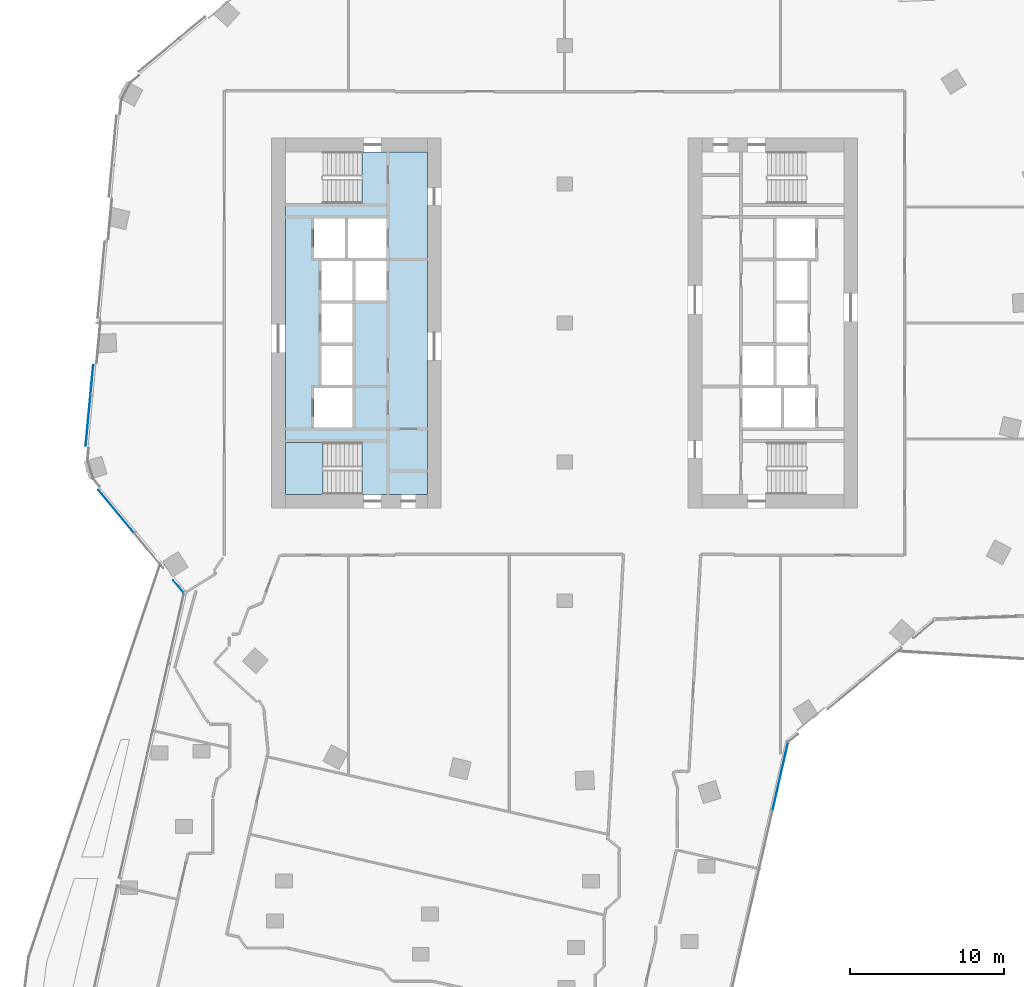
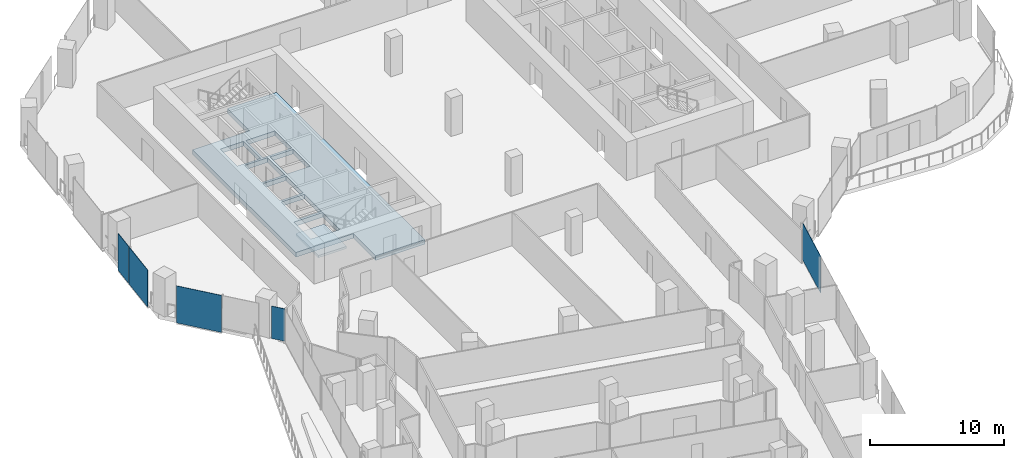
# One storey, part 13 of 28: 5 plates, 2 slabs, 4 elements without a shape of their own.
"""IFC4 building model written with IfcOpenShell, lengths in metres."""

from ifc_helpers import new_model, si_unit, direction, frame, origin, origin_2d, place, context, subcontext, project, spatial, polyline, rectangle, outline, extrude, material, layer, layer_set, type_object, element, aggregate, save


model = new_model("IFC4")

# Units and contexts
model_context = context("Model", 3, precision=1e-05, world=origin(), true_north=direction((0.0, 1.0)))
body_context = subcontext(model_context, "Body", "Model", "MODEL_VIEW")
ifc_project = project(units=[si_unit("LENGTHUNIT", "METRE"), si_unit("AREAUNIT", "SQUARE_METRE"), si_unit("VOLUMEUNIT", "CUBIC_METRE"), si_unit("PLANEANGLEUNIT", "RADIAN"), si_unit("MASSUNIT", "GRAM", prefix="KILO")], contexts=[model_context])

# Site, building, storey
site_placement = place(None, origin())
site = spatial("IfcSite", under=ifc_project, at=site_placement, CompositionType="ELEMENT")
building_placement = place(site_placement, origin())
building = spatial("IfcBuilding", under=site, at=building_placement, Name="Orlundy Tower", CompositionType="ELEMENT")
storey_placement = place(building_placement, frame((0.0, 0.0, 167.10009765625)))
storey = spatial("IfcBuildingStorey", under=building, at=storey_placement, Name="L43", CompositionType="ELEMENT", Elevation=167.10009765625)

# Curtain wall, plates
ifc_material_1 = material(Name="Aluminium bronze anodised", Category="aluminium")
curtain_wall_type = type_object("IfcCurtainWallType", Name="CW1 wall", PredefinedType="NOTDEFINED", material=ifc_material_1)
curtain_wall_1_placement = place(storey_placement, origin())
curtain_wall_1 = element("IfcCurtainWall", 1, at=curtain_wall_1_placement, inside=storey, type_object=curtain_wall_type, Name="CW1 run 01", PredefinedType="NOTDEFINED")
ifc_material_2 = material(Name="Tinted glass", Category="glass")
ifc_layer_1 = layer(ifc_material_2, 0.031982421875)
ifc_layer_set_1 = layer_set([ifc_layer_1], Name="CW1 glass panel 32")
plate_type = type_object("IfcPlateType", Name="CW1 glass panel 32", PredefinedType="CURTAIN_PANEL", material=ifc_layer_set_1)
plate_1_placement = place(storey_placement, frame((-25.015625, -17.08837890625, 0.119873046875), z_axis=(0.0, 0.0, 1.0), x_axis=(-0.638299162368, 0.769788399055, 0.0)))
plate_1 = element("IfcPlate", 2, at=plate_1_placement, type_object=plate_type, Name="CW1 panel", PredefinedType="CURTAIN_PANEL", context=body_context, shape_type="SweptSolid", body=[
    extrude(rectangle(XDim=1.086181640625, YDim=0.031982421875, at=origin_2d()), origin(), (0.0, 0.0, 1.0), 2.9599609375),
])
plate_2_placement = place(storey_placement, frame((-29.05322265625, -12.21875, -0.300048828125), z_axis=(0.0, 0.0, 1.0), x_axis=(-0.638299162368, 0.769788399055, 0.0)))
plate_2 = element("IfcPlate", 3, at=plate_2_placement, type_object=plate_type, Name="CW1 panel", PredefinedType="CURTAIN_PANEL", context=body_context, shape_type="SweptSolid", body=[
    extrude(rectangle(XDim=3.61328125, YDim=0.031982421875, at=origin_2d()), origin(), (0.0, 0.0, 1.0), 3.3798828125),
])
aggregate(curtain_wall_1, [plate_1, plate_2])

curtain_wall_2_placement = place(storey_placement, origin())
curtain_wall_2 = element("IfcCurtainWall", 4, at=curtain_wall_2_placement, inside=storey, type_object=curtain_wall_type, Name="CW1 run 02", PredefinedType="NOTDEFINED")
plate_3_placement = place(storey_placement, frame((-30.883056640625, -6.30029296875, -0.300048828125), z_axis=(0.0, 0.0, 1.0), x_axis=(0.092948066811, 0.995670958136, 0.0)))
plate_3 = element("IfcPlate", 5, at=plate_3_placement, type_object=plate_type, Name="CW1 panel", PredefinedType="CURTAIN_PANEL", context=body_context, shape_type="SweptSolid", body=[
    extrude(rectangle(XDim=3.32568359375, YDim=0.031982421875, at=origin_2d()), origin(), (0.0, 0.0, 1.0), 3.3798828125),
])
plate_4_placement = place(storey_placement, frame((-30.636962890625, -3.66357421875, -0.300048828125), z_axis=(0.0, 0.0, 1.0), x_axis=(0.092948066811, 0.995670958136, 0.0)))
plate_4 = element("IfcPlate", 6, at=plate_4_placement, type_object=plate_type, Name="CW1 panel", PredefinedType="CURTAIN_PANEL", context=body_context, shape_type="SweptSolid", body=[
    extrude(rectangle(XDim=1.87060546875, YDim=0.031982421875, at=origin_2d()), origin(), (0.0, 0.0, 1.0), 3.3798828125),
])
aggregate(curtain_wall_2, [plate_3, plate_4])

# Curtain wall, plate
curtain_wall_3_placement = place(storey_placement, origin())
curtain_wall_3 = element("IfcCurtainWall", 7, at=curtain_wall_3_placement, inside=storey, type_object=curtain_wall_type, Name="CW1 run 018", PredefinedType="NOTDEFINED")
plate_5_placement = place(storey_placement, frame((13.986328125, -29.386962890625, -0.300048828125), z_axis=(0.0, 0.0, 1.0), x_axis=(-0.222106437373, -0.975022425628, 0.0)))
plate_5 = element("IfcPlate", 8, at=plate_5_placement, type_object=plate_type, Name="CW1 panel", PredefinedType="CURTAIN_PANEL", context=body_context, shape_type="SweptSolid", body=[
    extrude(rectangle(XDim=4.550048828125, YDim=0.031982421875, at=origin_2d()), origin(), (0.0, 0.0, 1.0), 3.3798828125),
])
aggregate(curtain_wall_3, [plate_5])

# Slab
ifc_material_3 = material(Name="Concrete C50/60", Category="concrete")
ifc_layer_2 = layer(ifc_material_3, 0.419921875)
ifc_layer_set_2 = layer_set([ifc_layer_2], Name="Core Floor Slab 420")
slab_type_1 = type_object("IfcSlabType", Name="Core Floor Slab 420", PredefinedType="FLOOR", material=ifc_layer_set_2)
slab_1_placement = place(storey_placement, frame((0.0, 0.0, -0.420166015625)))
element("IfcSlab", 9, at=slab_1_placement, inside=storey, type_object=slab_type_1, Name="Core floor W34", PredefinedType="FLOOR", context=body_context, shape_type="SweptSolid", body=[
    extrude(outline(polyline([(-13.14501953125, -11.10009765625), (-13.14501953125, -7.75), (-18.10009765625, -7.75), (-18.10009765625, 7.75), (-13.14501953125, 7.75), (-13.14501953125, 11.10009765625), (-8.89990234375, 11.10009765625), (-8.89990234375, -11.10009765625), (-13.14501953125, -11.10009765625)]), holes=[polyline([(-13.739990234375, -4.22509765625), (-16.239990234375, -4.22509765625), (-16.239990234375, -6.77490234375), (-13.739990234375, -6.77490234375), (-13.739990234375, -4.22509765625)]), polyline([(-13.739990234375, -4.02490234375), (-13.739990234375, -1.47509765625), (-15.739990234375, -1.47509765625), (-15.739990234375, -4.02490234375), (-13.739990234375, -4.02490234375)]), polyline([(-15.739990234375, -1.27490234375), (-13.739990234375, -1.27490234375), (-13.739990234375, 1.27490234375), (-15.739990234375, 1.27490234375), (-15.739990234375, -1.27490234375)]), polyline([(-13.5400390625, 4.02490234375), (-13.5400390625, 1.47509765625), (-11.5400390625, 1.47509765625), (-11.5400390625, 4.02490234375), (-13.5400390625, 4.02490234375)]), polyline([(-13.739990234375, 4.02490234375), (-15.739990234375, 4.02490234375), (-15.739990234375, 1.47509765625), (-13.739990234375, 1.47509765625), (-13.739990234375, 4.02490234375)]), polyline([(-11.5400390625, 4.22509765625), (-11.5400390625, 6.77490234375), (-14.0400390625, 6.77490234375), (-14.0400390625, 4.22509765625), (-11.5400390625, 4.22509765625)]), polyline([(-16.239990234375, 4.22509765625), (-14.239990234375, 4.22509765625), (-14.239990234375, 6.77490234375), (-16.239990234375, 6.77490234375), (-16.239990234375, 4.22509765625)])]), origin(), (0.0, 0.0, 1.0), 0.420166015625),
])

# Stair, slab
ifc_material_4 = material(Name="Concrete C50/60", Category="concrete")
stair_type = type_object("IfcStairType", Name="Exit Stair 20 risers", PredefinedType="HALF_TURN_STAIR", material=ifc_material_4)
stair_placement = place(storey_placement, origin())
stair = element("IfcStair", 10, at=stair_placement, inside=storey, type_object=stair_type, Name="L43 Exit Stair ST-W2", PredefinedType="HALF_TURN_STAIR")
ifc_material_5 = material(Name="Concrete C50/60", Category="concrete")
ifc_layer_3 = layer(ifc_material_5, 0.199951171875)
ifc_layer_set_3 = layer_set([ifc_layer_3], Name="Exit Stair Landing")
slab_type_2 = type_object("IfcSlabType", Name="Exit Stair Landing", PredefinedType="LANDING", material=ifc_layer_set_3)
slab_2_placement = place(storey_placement, frame((0.0, 0.0, 1.5498046875)))
slab_2 = element("IfcSlab", 11, at=slab_2_placement, type_object=slab_type_2, Name="ST-W2 landing 1", PredefinedType="LANDING", context=body_context, shape_type="SweptSolid", body=[
    extrude(outline(polyline([(-15.659912109375, -7.75), (-18.10009765625, -7.75), (-18.10009765625, -11.10009765625), (-15.659912109375, -11.10009765625), (-15.659912109375, -7.75)])), origin(), (0.0, 0.0, 1.0), 0.2001953125),
])
aggregate(stair, [slab_2])

save(model, "model.ifc")
